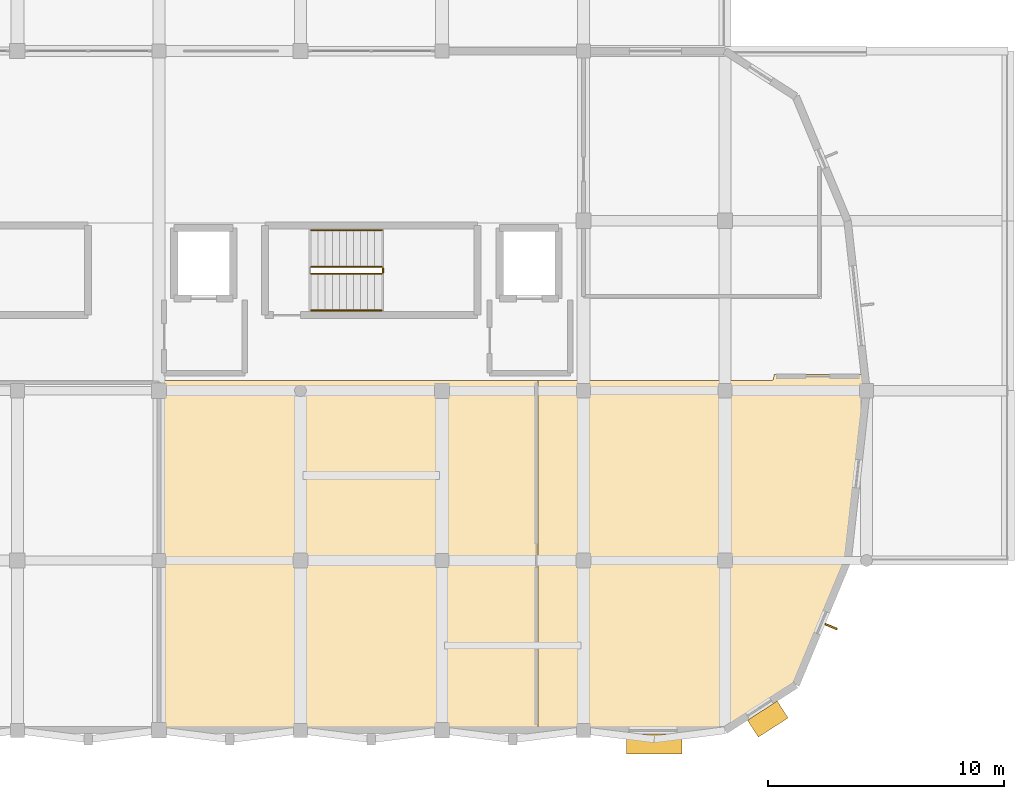
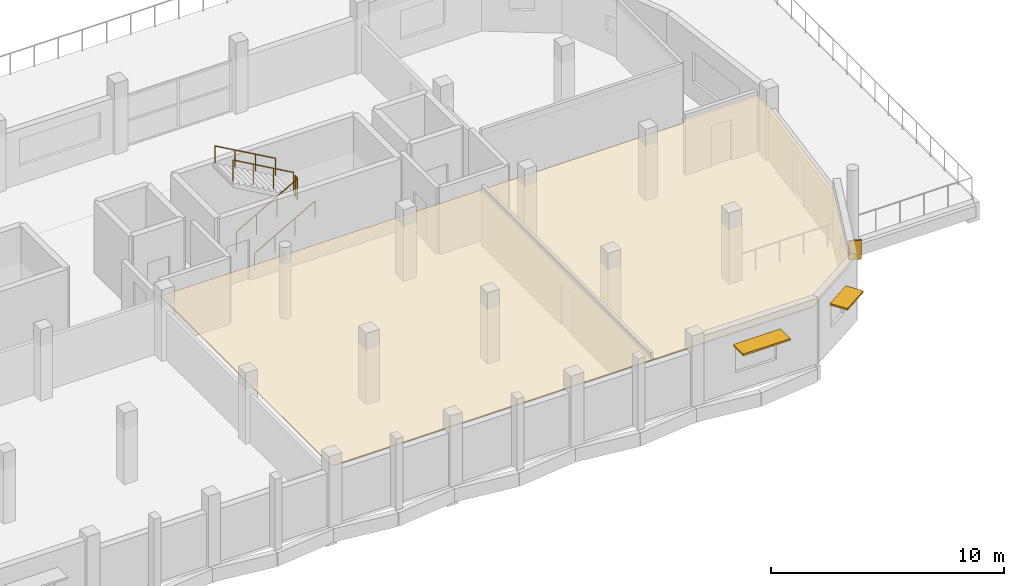
# One storey, part 17 of 19: 5 railings, 3 shading devices, 2 coverings.
"""IFC4 building model written with IfcOpenShell, lengths in metres."""

import ifcopenshell
import ifcopenshell.guid

model = None  # the IFC model being written
_history = None  # IfcOwnerHistory: only IFC2X3 demands one
_inside = {}  # id of a spatial element -> (the spatial element, [elements in it])
_under = {}  # id of a project, library or spatial element -> (it, [spatial elements below it])
_declared = {}  # id of a project -> (the project, [libraries it declares])
_typed = {}  # id of a type object -> (the type object, [elements of that type])
_made_of = {}  # id of a material, layer set ... -> (it, [elements and type objects made of it])


def new_model(schema):
    """Start an empty IFC model of exactly this schema.

    Asked for "IFC4X3", IfcOpenShell would pick the latest addendum, in which some entities
    have other attributes; the version numbers below select the first issue.
    IFC2X3 requires an IfcOwnerHistory on every rooted entity: one is made here for all.
    """
    global model, _history
    if schema == "IFC4X3":
        model = ifcopenshell.file(schema_version=(4, 3, 0, 0))
    else:
        model = ifcopenshell.file(schema=schema)
    _inside.clear()
    _under.clear()
    _declared.clear()
    _typed.clear()
    _made_of.clear()
    _history = None
    if model.schema == "IFC2X3":
        org = make("IfcOrganization", Name="unknown")
        user = make(
            "IfcPersonAndOrganization",
            ThePerson=make("IfcPerson", FamilyName="unknown"),
            TheOrganization=org,
        )
        app = make(
            "IfcApplication",
            ApplicationDeveloper=org,
            Version="unknown",
            ApplicationFullName="unknown",
            ApplicationIdentifier="unknown",
        )
        _history = make(
            "IfcOwnerHistory",
            OwningUser=user,
            OwningApplication=app,
            ChangeAction="ADDED",
            CreationDate=0,
        )
    return model


def make(cls, **values):
    """One entity of the class cls with the attributes given. An attribute that is None is left unset."""
    return model.create_entity(
        cls, **{name: value for name, value in values.items() if value is not None}
    )


def rooted(cls, **values):
    """An entity with a GlobalId (a new one), such as an element, a storey or a relation."""
    return make(cls, GlobalId=ifcopenshell.guid.new(), OwnerHistory=_history, **values)


def si_unit(unit_type, name, prefix=None):
    """IfcSIUnit, for example si_unit("LENGTHUNIT", "METRE", prefix="MILLI")."""
    return make("IfcSIUnit", UnitType=unit_type, Prefix=prefix, Name=name)


def assignment(units):
    """IfcUnitAssignment: the units of a project."""
    return None if units is None else make("IfcUnitAssignment", Units=units)


def point(xyz):
    """IfcCartesianPoint."""
    return None if xyz is None else make("IfcCartesianPoint", Coordinates=xyz)


def direction(xyz):
    """IfcDirection."""
    return None if xyz is None else make("IfcDirection", DirectionRatios=xyz)


def frame(location, z_axis=None, x_axis=None):
    """IfcAxis2Placement3D, a coordinate frame: its origin and axes. An axis left out is left unset."""
    return make(
        "IfcAxis2Placement3D",
        Location=point(location),
        Axis=direction(z_axis),
        RefDirection=direction(x_axis),
    )


def frame_2d(location, x_axis=None):
    """IfcAxis2Placement2D, a coordinate frame in the plane: its origin and x axis."""
    return make(
        "IfcAxis2Placement2D", Location=point(location), RefDirection=direction(x_axis)
    )


def origin():
    """The frame at (0, 0, 0) with its axes left unset."""
    return frame((0.0, 0.0, 0.0))


def origin_2d():
    """The frame at (0, 0) in the plane with its x axis left unset."""
    return frame_2d((0.0, 0.0))


def place(relative_to, where):
    """IfcLocalPlacement: puts the frame where relative to a parent placement (None: the world)."""
    return make(
        "IfcLocalPlacement", PlacementRelTo=relative_to, RelativePlacement=where
    )


def context(
    kind, dimensions, precision=None, world=None, true_north=None, identifier=None
):
    """IfcGeometricRepresentationContext, for example the 3D "Model" context."""
    return make(
        "IfcGeometricRepresentationContext",
        ContextIdentifier=identifier,
        ContextType=kind,
        CoordinateSpaceDimension=dimensions,
        Precision=precision,
        WorldCoordinateSystem=world,
        TrueNorth=true_north,
    )


def subcontext(parent, identifier, kind, view, scale=None):
    """IfcGeometricRepresentationSubContext, for example "Body" below "Model"."""
    return make(
        "IfcGeometricRepresentationSubContext",
        ContextIdentifier=identifier,
        ContextType=kind,
        ParentContext=parent,
        TargetScale=scale,
        TargetView=view,
    )


def project(units=None, contexts=None):
    """IfcProject with its units and contexts."""
    return rooted(
        "IfcProject",
        Name="project",
        RepresentationContexts=contexts,
        UnitsInContext=assignment(units),
    )


def spatial(cls, under=None, at=None, **own):
    """A site, building, storey or space (cls), placed at a placement, below another one or the project."""
    s = rooted(cls, ObjectPlacement=at, **own)
    if under is not None:
        _under.setdefault(under.id(), (under, []))[1].append(s)
    return s


def polyline(points):
    """IfcPolyline through the points."""
    return make("IfcPolyline", Points=[point(p) for p in points])


def profile(cls, at=None, kind="AREA", **sizes):
    """A parametric profile (cls). Its sizes go by their IFC names, for example OverallWidth=200.0."""
    return make(cls, ProfileType=kind, Position=at, **sizes)


def rectangle(**sizes):
    """IfcRectangleProfileDef."""
    return profile("IfcRectangleProfileDef", **sizes)


def circle(**sizes):
    """IfcCircleProfileDef."""
    return profile("IfcCircleProfileDef", **sizes)


def outline(outer, holes=None, kind="AREA"):
    """IfcArbitraryClosedProfileDef: a profile drawn as a closed curve; with holes, ...WithVoids."""
    if holes is None:
        return make("IfcArbitraryClosedProfileDef", ProfileType=kind, OuterCurve=outer)
    return make(
        "IfcArbitraryProfileDefWithVoids",
        ProfileType=kind,
        OuterCurve=outer,
        InnerCurves=holes,
    )


def extrude(swept, where, along, depth):
    """IfcExtrudedAreaSolid: the profile swept, set in the frame where, extruded along a direction by depth."""
    return make(
        "IfcExtrudedAreaSolid",
        SweptArea=swept,
        Position=where,
        ExtrudedDirection=direction(along),
        Depth=depth,
    )


def shape(context_of_items, identifier, shape_type, items):
    """IfcShapeRepresentation: the items that make up one representation, for example the "Body"."""
    return make(
        "IfcShapeRepresentation",
        ContextOfItems=context_of_items,
        RepresentationIdentifier=identifier,
        RepresentationType=shape_type,
        Items=items,
    )


def material(Name=None, Category=None):
    """IfcMaterial."""
    return make("IfcMaterial", Name=Name, Category=Category)


def layer(
    of_material, thickness, ventilated=None, Name=None, Category=None, Priority=None
):
    """IfcMaterialLayer: one layer of a wall or slab, of a material (None: an air gap)."""
    return make(
        "IfcMaterialLayer",
        Material=of_material,
        LayerThickness=thickness,
        IsVentilated=ventilated,
        Name=Name,
        Category=Category,
        Priority=Priority,
    )


def layer_set(layers, Name=None):
    """IfcMaterialLayerSet."""
    return make("IfcMaterialLayerSet", MaterialLayers=layers, LayerSetName=Name)


def made_of(thing, what):
    """Note that an element or type object is made of a material, layer set ...; save() writes the relation."""
    if what is not None:
        _made_of.setdefault(what.id(), (what, []))[1].append(thing)
    return thing


def type_object(cls, material=None, **own):
    """A type object (cls), such as IfcWallType, which elements share."""
    return made_of(rooted(cls, **own), material)


def element(
    cls,
    number,
    at=None,
    inside=None,
    cuts=None,
    type_object=None,
    material=None,
    context=None,
    identifier="Body",
    shape_type=None,
    held_by="IfcProductDefinitionShape",
    body=None,
    shapes=None,
    **own,
):
    """One element of the class cls, such as IfcWall. Its Tag is "e" and its number.

    at: its placement. inside: the storey or other place that contains it. cuts: it is an
    opening in that element (IfcRelVoidsElement). A single representation is given by context,
    identifier, shape_type and body (its items); several are given by shapes. held_by: the class
    of the entity that holds the representations. save() writes the other relations.
    """
    e = rooted(cls, Tag="e%d" % number, ObjectPlacement=at, **own)
    if body is not None:
        shapes = [shape(context, identifier, shape_type, body)]
    if shapes is not None:
        e.Representation = make(held_by, Representations=shapes)
    if inside is not None:
        _inside.setdefault(inside.id(), (inside, []))[1].append(e)
    if cuts is not None:
        rooted(
            "IfcRelVoidsElement", RelatingBuildingElement=cuts, RelatedOpeningElement=e
        )
    if type_object is not None:
        _typed.setdefault(type_object.id(), (type_object, []))[1].append(e)
    return made_of(e, material)


def aggregate(whole, parts):
    """IfcRelAggregates: a whole, such as a stair, and the parts it consists of."""
    return rooted("IfcRelAggregates", RelatingObject=whole, RelatedObjects=parts)


def save(model, path):
    """Write the relations noted so far, then the file.

    IfcRelAggregates (storeys below a building ...), IfcRelContainedInSpatialStructure (elements
    in a storey), IfcRelDefinesByType, IfcRelAssociatesMaterial and IfcRelDeclares: one each for
    every whole, place, type object, material and project.
    """
    for whole, parts in _under.values():
        aggregate(whole, parts)
    for where, things in _inside.values():
        rooted(
            "IfcRelContainedInSpatialStructure",
            RelatedElements=things,
            RelatingStructure=where,
        )
    for kind, things in _typed.values():
        rooted("IfcRelDefinesByType", RelatedObjects=things, RelatingType=kind)
    for what, things in _made_of.values():
        rooted("IfcRelAssociatesMaterial", RelatedObjects=things, RelatingMaterial=what)
    for by, libraries in _declared.values():
        rooted("IfcRelDeclares", RelatingContext=by, RelatedDefinitions=libraries)
    model.write(path)


model = new_model("IFC4")

# Units and contexts
model_context = context("Model", 3, precision=1e-05, world=origin(), true_north=direction((0.0, 1.0)))
body_context = subcontext(model_context, "Body", "Model", "MODEL_VIEW")
ifc_project = project(units=[si_unit("LENGTHUNIT", "METRE"), si_unit("AREAUNIT", "SQUARE_METRE"), si_unit("VOLUMEUNIT", "CUBIC_METRE"), si_unit("PLANEANGLEUNIT", "RADIAN"), si_unit("MASSUNIT", "GRAM", prefix="KILO")], contexts=[model_context])

# Site, building, storey
site_placement = place(None, origin())
site = spatial("IfcSite", under=ifc_project, at=site_placement, CompositionType="ELEMENT")
building_placement = place(site_placement, origin())
building = spatial("IfcBuilding", under=site, at=building_placement, Name="Dunvalen Ferry Terminal", CompositionType="ELEMENT")
storey_placement = place(building_placement, frame((0.0, 0.0, 13.580078125)))
storey = spatial("IfcBuildingStorey", under=building, at=storey_placement, Name="L03", CompositionType="ELEMENT", Elevation=13.580078125)

# Shading devices
ifc_material_1 = material(Name="Anodised marine aluminium EN AW-6063 T6", Category="aluminium")
ifc_layer_1 = layer(ifc_material_1, 0.090087890625, Name="Anodised marine aluminium EN AW-6063 T6")
ifc_layer_set_1 = layer_set([ifc_layer_1], Name="Anodised marine aluminium EN AW-6063 T6")
shading_device_type_1 = type_object("IfcShadingDeviceType", Name="ENV-SHD-AWN01", PredefinedType="AWNING", material=ifc_layer_set_1)
shading_device_1_placement = place(storey_placement, frame((57.0, -0.5810546875, 2.384765625), z_axis=(0.0, 0.0, 1.0), x_axis=(1.0, 0.0, 0.0)))
element("IfcShadingDevice", 1, at=shading_device_1_placement, inside=storey, type_object=shading_device_type_1, Name="L03 Streamline Brise-Soleil Eyebrow 036", PredefinedType="AWNING", context=body_context, shape_type="SweptSolid", body=[
    extrude(rectangle(XDim=2.35009765625, YDim=0.85009765625, at=origin_2d()), origin(), (0.0, 0.0, 1.0), 0.090087890625),
])
shading_device_2_placement = place(storey_placement, frame((61.814208984375, 0.475830078125, 2.384765625), z_axis=(0.0, 0.0, 1.0), x_axis=(0.841098303695, 0.540882282499, 0.0)))
element("IfcShadingDevice", 2, at=shading_device_2_placement, inside=storey, type_object=shading_device_type_1, Name="L03 Streamline Brise-Soleil Eyebrow 037", PredefinedType="AWNING", context=body_context, shape_type="SweptSolid", body=[
    extrude(rectangle(XDim=1.5, YDim=0.85009765625, at=origin_2d()), origin(), (0.0, 0.0, 1.0), 0.090087890625),
])
ifc_layer_2 = layer(ifc_material_1, 0.080078125, Name="Anodised marine aluminium EN AW-6063 T6")
ifc_layer_set_2 = layer_set([ifc_layer_2], Name="Anodised marine aluminium EN AW-6063 T6")
shading_device_type_2 = type_object("IfcShadingDeviceType", Name="ENV-SHD-FIN01", PredefinedType="USERDEFINED", material=ifc_layer_set_2)
shading_device_3_placement = place(storey_placement, frame((64.495849609375, 4.398681640625, 1.14990234375), z_axis=(0.0, 0.0, 1.0), x_axis=(0.384620358717, 0.923074850519, 0.0)))
element("IfcShadingDevice", 3, at=shading_device_3_placement, inside=storey, type_object=shading_device_type_2, Name="L03 East Solar Fin 038", ObjectType="SOLAR FIN", PredefinedType="USERDEFINED", context=body_context, shape_type="SweptSolid", body=[
    extrude(rectangle(XDim=0.080078125, YDim=0.550048828125, at=origin_2d()), origin(), (0.0, 0.0, 1.0), 1.0),
])

# Coverings
ifc_material_2 = material(Name="Perforated marine aluminium acoustic baffle ceiling", Category="aluminium")
ifc_layer_3 = layer(ifc_material_2, 0.0400390625, Name="Perforated marine aluminium acoustic baffle ceiling")
ifc_layer_set_3 = layer_set([ifc_layer_3], Name="Perforated marine aluminium acoustic baffle ceiling")
covering_type_1 = type_object("IfcCoveringType", Name="INT-COV-CLG01", PredefinedType="CEILING", material=ifc_layer_set_3)
covering_1_placement = place(storey_placement, frame((0.0, 0.0, 2.809814453125)))
element("IfcCovering", 4, at=covering_1_placement, inside=storey, type_object=covering_type_1, Name="L03 Port Health Inspection and Medical Briefing Room Acoustic Suspended Ceiling", PredefinedType="CEILING", context=body_context, shape_type="SweptSolid", body=[
    extrude(outline(polyline([(36.070068359375, 0.1298828125), (52.090087890625, 0.1298828125), (52.090087890625, 14.830078125), (36.070068359375, 14.830078125), (36.070068359375, 0.1298828125)])), origin(), (0.0, 0.0, 1.0), 0.0400390625),
])
ifc_material_3 = material(Name="Moisture-resistant mineral-fibre acoustic ceiling", Category="gypsum")
ifc_layer_4 = layer(ifc_material_3, 0.050048828125, Name="Moisture-resistant mineral-fibre acoustic ceiling")
ifc_layer_set_4 = layer_set([ifc_layer_4], Name="Moisture-resistant mineral-fibre acoustic ceiling")
covering_type_2 = type_object("IfcCoveringType", Name="INT-COV-CLG02", PredefinedType="CEILING", material=ifc_layer_set_4)
covering_2_placement = place(storey_placement, frame((0.0, 0.0, 2.7998046875)))
element("IfcCovering", 5, at=covering_2_placement, inside=storey, type_object=covering_type_2, Name="L03 Marine Radar Telemetry and AIS Server Room Acoustic Suspended Ceiling", PredefinedType="CEILING", context=body_context, shape_type="SweptSolid", body=[
    extrude(outline(polyline([(65.7919921875, 15.090087890625), (62.081787109375, 15.090087890625), (62.05029296875, 14.868896484375), (61.9775390625, 14.830078125), (52.070068359375, 14.830078125), (52.070068359375, 0.1298828125), (59.9619140625, 0.1298828125), (62.8955078125, 2.0166015625), (65.069091796875, 7.23291015625), (65.869140625, 14.39990234375), (65.7919921875, 15.090087890625)])), origin(), (0.0, 0.0, 1.0), 0.050048828125),
])

# Railings
ifc_material_4 = material(Name="Painted galvanised steel S275", Category="steel")
railing_type_1 = type_object("IfcRailingType", Name="INT-RL-STGRD", PredefinedType="GUARDRAIL", material=ifc_material_4)
railing_1_placement = place(storey_placement, frame((42.449951171875, 19.35009765625, 0.169921875)))
element("IfcRailing", 6, at=railing_1_placement, inside=storey, type_object=railing_type_1, Name="L03 ST2 stair guard 1", PredefinedType="GUARDRAIL", context=body_context, shape_type="SweptSolid", body=[
    extrude(circle(Radius=0.02392578125, at=origin_2d()), frame((0.0, 0.0, 1.076171875), z_axis=(0.870028259722, 0.0, 0.493001853226), x_axis=(0.0, 1.0, 0.0)), (0.0, 0.0, 1.0), 3.4482421875),
    extrude(circle(Radius=0.02099609375, at=origin_2d()), origin(), (0.0, 0.0, 1.0), 1.052001953125),
    extrude(circle(Radius=0.02099609375, at=origin_2d()), frame((1.0, 0.0, 0.566650390625)), (0.0, 0.0, 1.0), 1.052001953125),
    extrude(circle(Radius=0.02099609375, at=origin_2d()), frame((2.0, 0.0, 1.13330078125)), (0.0, 0.0, 1.0), 1.052001953125),
    extrude(circle(Radius=0.02099609375, at=origin_2d()), frame((3.0, 0.0, 1.699951171875)), (0.0, 0.0, 1.0), 1.052001953125),
])
railing_2_placement = place(storey_placement, frame((45.5, 19.39990234375, 1.869873046875)))
element("IfcRailing", 7, at=railing_2_placement, inside=storey, type_object=railing_type_1, Name="L03 ST2 stair guard 2", PredefinedType="GUARDRAIL", context=body_context, shape_type="SweptSolid", body=[
    extrude(circle(Radius=0.02392578125, at=origin_2d()), frame((0.0, 0.0, 1.076171875), z_axis=(0.0, 1.0, 0.0), x_axis=(-1.0, 0.0, 0.0)), (0.0, 0.0, 1.0), 0.2001953125),
    extrude(circle(Radius=0.02099609375, at=origin_2d()), origin(), (0.0, 0.0, 1.0), 1.052001953125),
    extrude(circle(Radius=0.02099609375, at=origin_2d()), frame((0.0, 0.2001953125, 0.0)), (0.0, 0.0, 1.0), 1.052001953125),
])
railing_3_placement = place(storey_placement, frame((45.449951171875, 19.64990234375, 2.0400390625)))
element("IfcRailing", 8, at=railing_3_placement, inside=storey, type_object=railing_type_1, Name="L03 ST2 stair guard 3", PredefinedType="GUARDRAIL", context=body_context, shape_type="SweptSolid", body=[
    extrude(circle(Radius=0.02392578125, at=origin_2d()), frame((0.0, 0.0, 1.076171875), z_axis=(-0.870028259722, 0.0, 0.493001853226), x_axis=(0.0, -1.0, 0.0)), (0.0, 0.0, 1.0), 3.4482421875),
    extrude(circle(Radius=0.02099609375, at=origin_2d()), origin(), (0.0, 0.0, 1.0), 1.052001953125),
    extrude(circle(Radius=0.02099609375, at=origin_2d()), frame((-1.0, 0.0, 0.566650390625)), (0.0, 0.0, 1.0), 1.052001953125),
    extrude(circle(Radius=0.02099609375, at=origin_2d()), frame((-2.0, 0.0, 1.13330078125)), (0.0, 0.0, 1.0), 1.052001953125),
    extrude(circle(Radius=0.02099609375, at=origin_2d()), frame((-3.0, 0.0, 1.699951171875)), (0.0, 0.0, 1.0), 1.052001953125),
])
ifc_material_5 = material(Name="Brushed 316 stainless steel", Category="steel")
railing_type_2 = type_object("IfcRailingType", Name="INT-RL-STHND", PredefinedType="HANDRAIL", material=ifc_material_5)
railing_4_placement = place(storey_placement, frame((42.449951171875, 17.800048828125, 0.169921875)))
element("IfcRailing", 9, at=railing_4_placement, inside=storey, type_object=railing_type_2, Name="L03 ST2 stair handrail 1", PredefinedType="HANDRAIL", context=body_context, shape_type="SweptSolid", body=[
    extrude(circle(Radius=0.02392578125, at=origin_2d()), frame((0.0, 0.0, 0.8759765625), z_axis=(0.870028259722, 0.0, 0.493001853226), x_axis=(0.0, 1.0, 0.0)), (0.0, 0.0, 1.0), 3.4482421875),
    extrude(circle(Radius=0.02099609375, at=origin_2d()), origin(), (0.0, 0.0, 1.0), 0.851806640625),
    extrude(circle(Radius=0.02099609375, at=origin_2d()), frame((1.0, 0.0, 0.566650390625)), (0.0, 0.0, 1.0), 0.851806640625),
    extrude(circle(Radius=0.02099609375, at=origin_2d()), frame((2.0, 0.0, 1.13330078125)), (0.0, 0.0, 1.0), 0.851806640625),
    extrude(circle(Radius=0.02099609375, at=origin_2d()), frame((3.0, 0.0, 1.699951171875)), (0.0, 0.0, 1.0), 0.851806640625),
])
railing_5_placement = place(storey_placement, frame((45.449951171875, 21.199951171875, 2.0400390625)))
element("IfcRailing", 10, at=railing_5_placement, inside=storey, type_object=railing_type_2, Name="L03 ST2 stair handrail 2", PredefinedType="HANDRAIL", context=body_context, shape_type="SweptSolid", body=[
    extrude(circle(Radius=0.02392578125, at=origin_2d()), frame((0.0, 0.0, 0.8759765625), z_axis=(-0.870028259722, 0.0, 0.493001853226), x_axis=(0.0, -1.0, 0.0)), (0.0, 0.0, 1.0), 3.4482421875),
    extrude(circle(Radius=0.02099609375, at=origin_2d()), origin(), (0.0, 0.0, 1.0), 0.851806640625),
    extrude(circle(Radius=0.02099609375, at=origin_2d()), frame((-1.0, 0.0, 0.566650390625)), (0.0, 0.0, 1.0), 0.851806640625),
    extrude(circle(Radius=0.02099609375, at=origin_2d()), frame((-2.0, 0.0, 1.13330078125)), (0.0, 0.0, 1.0), 0.851806640625),
    extrude(circle(Radius=0.02099609375, at=origin_2d()), frame((-3.0, 0.0, 1.699951171875)), (0.0, 0.0, 1.0), 0.851806640625),
])

save(model, "model.ifc")
